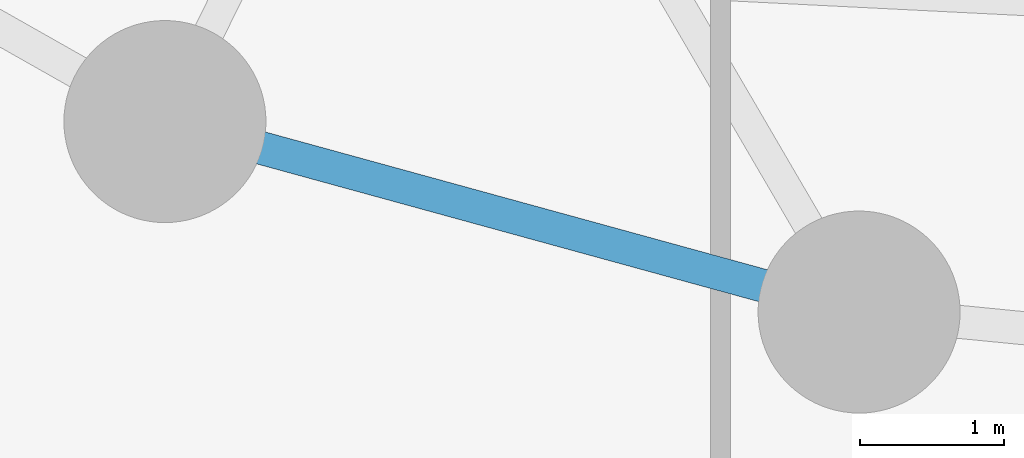
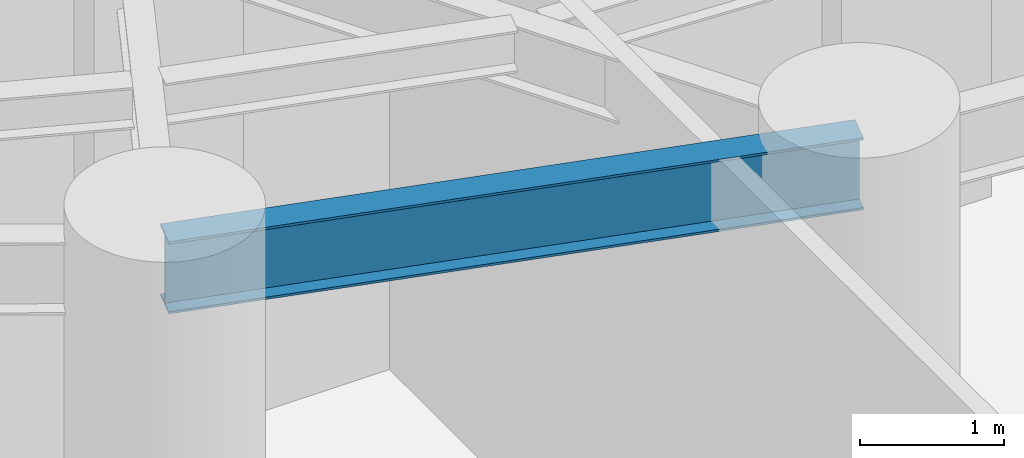
# One storey, part 3 of 26: 1 beam.
"""IFC4 building model written with IfcOpenShell, lengths in metres."""

from ifc_helpers import new_model, si_unit, direction, frame, origin, origin_2d, place, context, subcontext, project, spatial, i_section, extrude, material, material_profile, profile_set, type_object, element, save


model = new_model("IFC4")

# Units and contexts
model_context = context("Model", 3, precision=1e-05, world=origin(), true_north=direction((0.0, 1.0)))
body_context = subcontext(model_context, "Body", "Model", "MODEL_VIEW")
ifc_project = project(units=[si_unit("LENGTHUNIT", "METRE"), si_unit("AREAUNIT", "SQUARE_METRE"), si_unit("VOLUMEUNIT", "CUBIC_METRE"), si_unit("PLANEANGLEUNIT", "RADIAN"), si_unit("MASSUNIT", "GRAM", prefix="KILO")], contexts=[model_context])

# Site, building, storey
site_placement = place(None, origin())
site = spatial("IfcSite", under=ifc_project, at=site_placement, CompositionType="ELEMENT")
building_placement = place(site_placement, origin())
building = spatial("IfcBuilding", under=site, at=building_placement, Name="Kazevale Care Tower and Concert Hall", CompositionType="ELEMENT")
storey_placement = place(building_placement, frame((0.0, 0.0, 19.199951171875)))
storey = spatial("IfcBuildingStorey", under=building, at=storey_placement, Name="L04", CompositionType="ELEMENT", Elevation=19.199951171875)

# Beam
ifc_material = material(Name="Steel ASTM A572 Gr 50", Category="steel")
ifc_material_profile = material_profile(ifc_material, i_section(OverallWidth=0.22900390625, OverallDepth=0.612060546875, WebThickness=0.011962890625, FlangeThickness=0.01953125, at=origin_2d()), Name="W610x125")
ifc_profile_set = profile_set([ifc_material_profile], Name="Steel ASTM A572 Gr 50")
beam_type = type_object("IfcBeamType", Name="Ring Spandrel Beam W610x125", PredefinedType="SPANDREL", material=ifc_profile_set)
beam_placement = place(storey_placement, frame((28.14990234375, 19.85009765625, 4.254150390625), z_axis=(0.964343540473, -0.264653615031, 0.0), x_axis=(0.264653615031, 0.964343540473, 0.0)))
element("IfcBeam", 1, at=beam_placement, inside=storey, type_object=beam_type, Name="beam:L04:ring:11", PredefinedType="SPANDREL", context=body_context, shape_type="SweptSolid", body=[
    extrude(i_section(OverallWidth=0.22900390625, OverallDepth=0.612060546875, WebThickness=0.011962890625, FlangeThickness=0.01953125, at=origin_2d()), origin(), (0.0, 0.0, 1.0), 4.98779296875),
])

save(model, "model.ifc")
